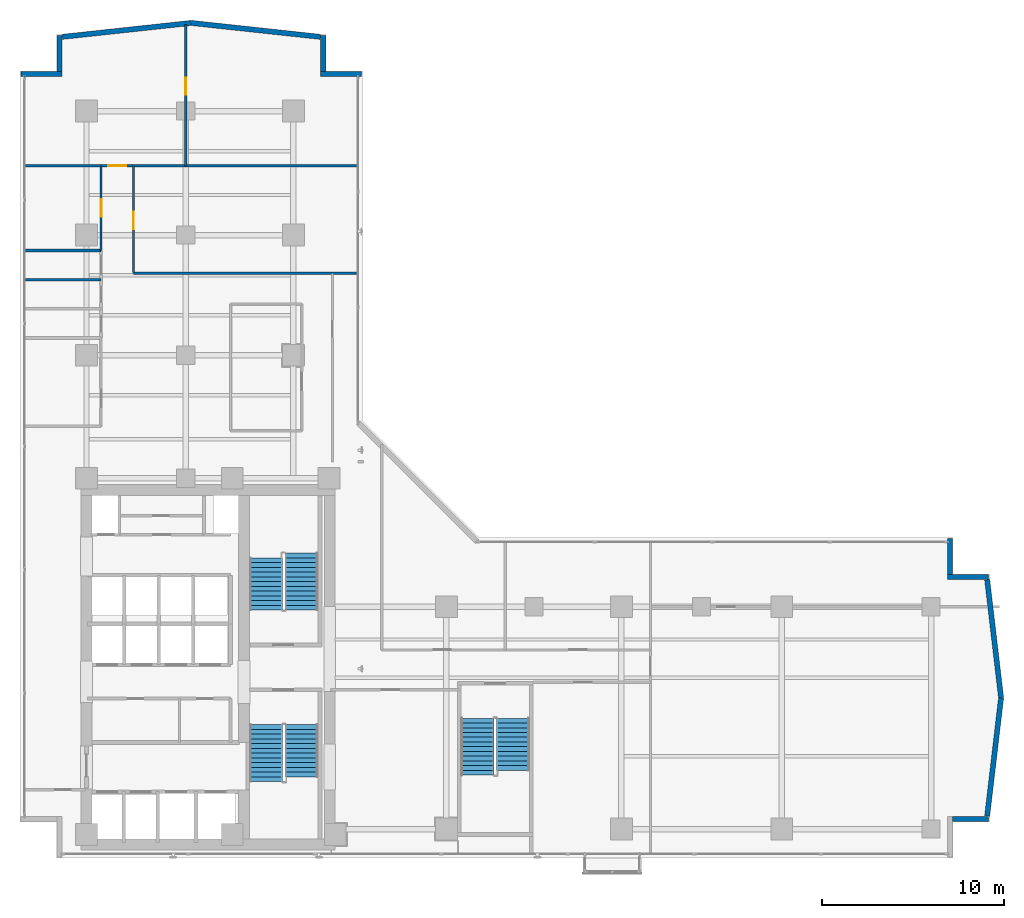
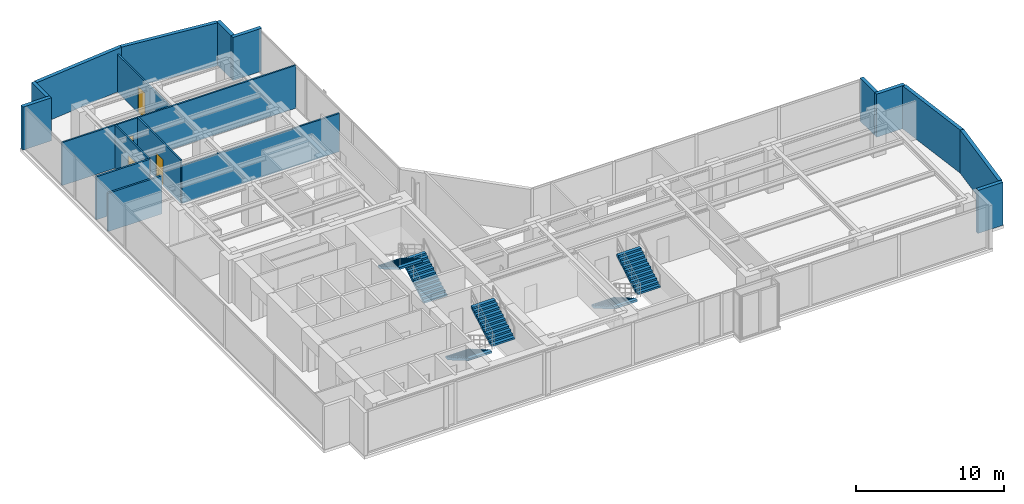
# One storey, part 22 of 27: 18 walls, 6 stair flights, 4 doors, 4 openings, 3 elements without a shape of their own.
"""IFC4 building model written with IfcOpenShell, lengths in metres."""

from ifc_helpers import new_model, si_unit, direction, frame, frame_2d, origin, place, context, subcontext, project, spatial, polyline, rectangle, outline, extrude, material, layer, layer_set, type_object, element, fill, aggregate, save


model = new_model("IFC4")

# Units and contexts
model_context = context("Model", 3, precision=1e-05, world=origin(), true_north=direction((0.0, 1.0)))
body_context = subcontext(model_context, "Body", "Model", "MODEL_VIEW")
ifc_project = project(units=[si_unit("LENGTHUNIT", "METRE"), si_unit("AREAUNIT", "SQUARE_METRE"), si_unit("VOLUMEUNIT", "CUBIC_METRE"), si_unit("PLANEANGLEUNIT", "RADIAN"), si_unit("MASSUNIT", "GRAM", prefix="KILO")], contexts=[model_context])

# Site, building, storey
site_placement = place(None, origin())
site = spatial("IfcSite", under=ifc_project, at=site_placement, CompositionType="ELEMENT")
building_placement = place(site_placement, origin())
building = spatial("IfcBuilding", under=site, at=building_placement, Name="Kolvaren Waterfront Exchange", CompositionType="ELEMENT")
storey_placement = place(building_placement, frame((0.0, 0.0, 176.60009765625)))
storey = spatial("IfcBuildingStorey", under=building, at=storey_placement, Name="L45", CompositionType="ELEMENT", Elevation=176.60009765625)

# Walls
ifc_material_1 = material(Name="Precast concrete C40/50", Category="concrete")
ifc_layer_1 = layer(ifc_material_1, 0.280029296875, Name="Precast concrete C40/50")
ifc_layer_set_1 = layer_set([ifc_layer_1], Name="Precast concrete C40/50")
wall_type_1 = type_object("IfcWallType", Name="ARC-EXT-TERR-280", PredefinedType="SOLIDWALL", material=ifc_layer_set_1)
wall_1_placement = place(storey_placement, frame((54.97998046875, 5.760009765625, 0.0), z_axis=(0.0, 0.0, 1.0), x_axis=(1.0, 0.0, 0.0)))
element("IfcWall", 1, at=wall_1_placement, inside=storey, type_object=wall_type_1, Name="L45 notched corner spandrel pier SE-B", PredefinedType="SOLIDWALL", context=body_context, shape_type="SweptSolid", body=[
    extrude(rectangle(XDim=1.9599609375, YDim=0.280029296875, at=frame_2d((0.97998046875, 0.0))), origin(), (0.0, 0.0, 1.0), 3.559814453125),
])
wall_2_placement = place(storey_placement, frame((54.840087890625, 19.1650390625, 0.0), z_axis=(0.0, 0.0, 1.0), x_axis=(0.0, 1.0, 0.0)))
element("IfcWall", 2, at=wall_2_placement, inside=storey, type_object=wall_type_1, Name="L45 notched corner spandrel pier ENE-A", PredefinedType="SOLIDWALL", context=body_context, shape_type="SweptSolid", body=[
    extrude(rectangle(XDim=1.974853515625, YDim=0.280029296875, at=frame_2d((0.9873046875, 0.0))), origin(), (0.0, 0.0, 1.0), 3.559814453125),
])
for number, where, z_axis, x_axis, name in (
    (3, (54.699951171875, 19.0400390625, 0.0), (0.0, 0.0, 1.0), (1.0, 0.0, 0.0), "L45 notched corner spandrel pier ENE-B"),
    (4, (20.300048828125, 46.639892578125, 0.0), (0.0, 0.0, 1.0), (1.0, 0.0, 0.0), "L45 notched corner spandrel pier NNE-A"),
):
    element("IfcWall", number, at=place(storey_placement, frame(where, z_axis=z_axis, x_axis=x_axis)), inside=storey, type_object=wall_type_1, Name=name, PredefinedType="SOLIDWALL", context=body_context, shape_type="SweptSolid", body=[
        extrude(rectangle(XDim=2.239990234375, YDim=0.280029296875, at=frame_2d((1.1201171875, 0.0))), origin(), (0.0, 0.0, 1.0), 3.559814453125),
    ])
wall_3_placement = place(storey_placement, frame((20.43994140625, 46.780029296875, 0.0), z_axis=(0.0, 0.0, 1.0), x_axis=(0.0, 1.0, 0.0)))
element("IfcWall", 5, at=wall_3_placement, inside=storey, type_object=wall_type_1, Name="L45 notched corner spandrel pier NNE-B", PredefinedType="SOLIDWALL", context=body_context, shape_type="SweptSolid", body=[
    extrude(rectangle(XDim=1.9599609375, YDim=0.280029296875, at=frame_2d((0.97998046875, 0.0))), origin(), (0.0, 0.0, 1.0), 3.559814453125),
])
wall_4_placement = place(storey_placement, frame((3.860107421875, 46.639892578125, 0.0), z_axis=(0.0, 0.0, 1.0), x_axis=(1.0, 0.0, 0.0)))
element("IfcWall", 6, at=wall_4_placement, inside=storey, type_object=wall_type_1, Name="L45 notched corner spandrel pier NW-A", PredefinedType="SOLIDWALL", context=body_context, shape_type="SweptSolid", body=[
    extrude(rectangle(XDim=2.239990234375, YDim=0.280029296875, at=frame_2d((1.1201171875, 0.0))), origin(), (0.0, 0.0, 1.0), 3.559814453125),
])
wall_5_placement = place(storey_placement, frame((5.9599609375, 46.780029296875, 0.0), z_axis=(0.0, 0.0, 1.0), x_axis=(0.0, 1.0, 0.0)))
element("IfcWall", 7, at=wall_5_placement, inside=storey, type_object=wall_type_1, Name="L45 notched corner spandrel pier NW-B", PredefinedType="SOLIDWALL", context=body_context, shape_type="SweptSolid", body=[
    extrude(rectangle(XDim=1.9599609375, YDim=0.280029296875, at=frame_2d((0.97998046875, 0.0))), origin(), (0.0, 0.0, 1.0), 3.559814453125),
])
for number, where, z_axis, x_axis, name in (
    (8, (56.876220703125, 5.91650390625, 0.0), (0.0, 0.0, 1.0), (0.11685426921, 0.993149072278, 0.0), "L45 east prow faceted facade wall 1"),
    (9, (57.638916015625, 12.401123046875, 0.0), (0.0, 0.0, 1.0), (-0.11685426921, 0.993149072278, 0.0), "L45 east prow faceted facade wall 2"),
):
    element("IfcWall", number, at=place(storey_placement, frame(where, z_axis=z_axis, x_axis=x_axis)), inside=storey, type_object=wall_type_1, Name=name, PredefinedType="SOLIDWALL", context=body_context, shape_type="SweptSolid", body=[
        extrude(rectangle(XDim=6.52685546875, YDim=0.280029296875, at=frame_2d((3.263427734375, 0.0))), origin(), (0.0, 0.0, 1.0), 3.559814453125),
    ])
for number, where, z_axis, x_axis, name in (
    (10, (20.284423828125, 48.673095703125, 0.0), (0.0, 0.0, 1.0), (-0.994206651606, 0.107485505548, 0.0), "L45 north prow faceted facade wall 1"),
    (11, (13.197265625, 49.438720703125, 0.0), (0.0, 0.0, 1.0), (-0.994206651606, -0.107485505548, 0.0), "L45 north prow faceted facade wall 2"),
):
    element("IfcWall", number, at=place(storey_placement, frame(where, z_axis=z_axis, x_axis=x_axis)), inside=storey, type_object=wall_type_1, Name=name, PredefinedType="SOLIDWALL", context=body_context, shape_type="SweptSolid", body=[
        extrude(rectangle(XDim=7.123046875, YDim=0.280029296875, at=frame_2d((3.5615234375, 0.0))), origin(), (0.0, 0.0, 1.0), 3.559814453125),
    ])
ifc_material_2 = material(Name="Acoustic gypsum steel stud", Category="steel")
ifc_layer_2 = layer(ifc_material_2, 0.125, Name="Acoustic gypsum steel stud")
ifc_layer_set_2 = layer_set([ifc_layer_2], Name="Acoustic gypsum steel stud")
wall_type_2 = type_object("IfcWallType", Name="ARC-PART-125", PredefinedType="PARTITIONING", material=ifc_layer_set_2)
wall_6_placement = place(storey_placement, frame((10.030029296875, 35.699951171875, 0.0), z_axis=(0.0, 0.0, 1.0), x_axis=(1.0, 0.0, 0.0)))
element("IfcWall", 12, at=wall_6_placement, inside=storey, type_object=wall_type_2, Name="L45 interior wall PW-L45-RFLANK-N", PredefinedType="PARTITIONING", context=body_context, shape_type="SweptSolid", body=[
    extrude(rectangle(XDim=12.330078125, YDim=0.125, at=frame_2d((6.1650390625, 0.0))), origin(), (0.0, 0.0, 1.0), 3.159912109375),
])

# Wall, opening, door
wall_7_placement = place(storey_placement, frame((8.25, 36.949951171875, 0.0), z_axis=(0.0, 0.0, 1.0), x_axis=(0.0, 1.0, 0.0)))
wall_7 = element("IfcWall", 13, at=wall_7_placement, inside=storey, type_object=wall_type_2, Name="L45 interior wall PW-L45-NW-CORR", PredefinedType="PARTITIONING", context=body_context, shape_type="SweptSolid", body=[
    extrude(rectangle(XDim=4.650146484375, YDim=0.125, at=frame_2d((2.3251953125, 0.0))), origin(), (0.0, 0.0, 1.0), 3.559814453125),
])
opening_1_placement = place(wall_7_placement, frame((1.85009765625, 0.0, 0.0)))
opening_1 = element("IfcOpeningElement", 14, at=opening_1_placement, cuts=wall_7, Name="Opening D02", PredefinedType="OPENING", context=body_context, shape_type="SweptSolid", body=[
    extrude(rectangle(XDim=0.949951171875, YDim=2.14990234375, at=frame_2d((0.47509765625, 1.074951171875))), frame((0.0, 0.072509765625, 0.0), z_axis=(0.0, -1.0, 0.0), x_axis=(1.0, 0.0, 0.0)), (0.0, 0.0, 1.0), 0.14501953125),
])
ifc_material_3 = material(Name="Oak veneer acoustic timber", Category="wood")
door_type_1 = type_object("IfcDoorType", Name="ARC-DR-950", OperationType="NOTDEFINED", PredefinedType="DOOR", material=ifc_material_3)
door_1_placement = place(opening_1_placement, origin())
door_1 = element("IfcDoor", 15, at=door_1_placement, inside=storey, type_object=door_type_1, Name="L45 door DR-L45-NW-D-1 (D02)", OperationType="SINGLE_SWING_RIGHT", OverallHeight=2.14990234375, OverallWidth=0.949951171875, PredefinedType="DOOR", context=body_context, shape_type="SweptSolid", body=[
    extrude(rectangle(XDim=0.949951171875, YDim=2.14990234375, at=frame_2d((0.47509765625, 1.074951171875))), frame((0.0, 0.02490234375, 0.0), z_axis=(0.0, -1.0, 0.0), x_axis=(1.0, 0.0, 0.0)), (0.0, 0.0, 1.0), 0.050048828125),
])
fill(opening_1, door_1)

wall_8_placement = place(storey_placement, frame((4.0400390625, 41.60009765625, 0.0), z_axis=(0.0, 0.0, 1.0), x_axis=(1.0, 0.0, 0.0)))
wall_8 = element("IfcWall", 16, at=wall_8_placement, inside=storey, type_object=wall_type_2, Name="L45 interior wall PW-L45-NTIP-S", PredefinedType="PARTITIONING", context=body_context, shape_type="SweptSolid", body=[
    extrude(rectangle(XDim=18.320068359375, YDim=0.125, at=frame_2d((9.16015625, 0.0))), origin(), (0.0, 0.0, 1.0), 3.559814453125),
])
opening_2_placement = place(wall_8_placement, frame((4.60009765625, 0.0, 0.0)))
opening_2 = element("IfcOpeningElement", 17, at=opening_2_placement, cuts=wall_8, Name="Opening D03", PredefinedType="OPENING", context=body_context, shape_type="SweptSolid", body=[
    extrude(rectangle(XDim=1.0, YDim=2.199951171875, at=frame_2d((0.5, 1.10009765625))), frame((0.0, 0.072509765625, 0.0), z_axis=(0.0, -1.0, 0.0), x_axis=(1.0, 0.0, 0.0)), (0.0, 0.0, 1.0), 0.14501953125),
])
ifc_material_4 = material(Name="Oak veneer accessible timber", Category="wood")
door_type_2 = type_object("IfcDoorType", Name="ARC-DR-1000", OperationType="NOTDEFINED", PredefinedType="DOOR", material=ifc_material_4)
door_2_placement = place(opening_2_placement, origin())
door_2 = element("IfcDoor", 18, at=door_2_placement, inside=storey, type_object=door_type_2, Name="L45 door DR-L45-NTIPW-D (D03)", OperationType="SINGLE_SWING_LEFT", OverallHeight=2.199951171875, OverallWidth=1.0, PredefinedType="DOOR", context=body_context, shape_type="SweptSolid", body=[
    extrude(rectangle(XDim=1.0, YDim=2.199951171875, at=frame_2d((0.5, 1.10009765625))), frame((0.0, 0.02490234375, 0.0), z_axis=(0.0, -1.0, 0.0), x_axis=(1.0, 0.0, 0.0)), (0.0, 0.0, 1.0), 0.050048828125),
])
fill(opening_2, door_2)

wall_9_placement = place(storey_placement, frame((12.89990234375, 41.60009765625, 0.0), z_axis=(0.0, 0.0, 1.0), x_axis=(0.0, 1.0, 0.0)))
wall_9 = element("IfcWall", 19, at=wall_9_placement, inside=storey, type_object=wall_type_2, Name="L45 interior wall PW-L45-NTIP-DIV", PredefinedType="PARTITIONING", context=body_context, shape_type="SweptSolid", body=[
    extrude(rectangle(XDim=7.760009765625, YDim=0.125, at=frame_2d((3.8798828125, 0.0))), origin(), (0.0, 0.0, 1.0), 3.10986328125),
])
opening_3_placement = place(wall_9_placement, frame((3.8935546875, 0.0, 0.0)))
opening_3 = element("IfcOpeningElement", 20, at=opening_3_placement, cuts=wall_9, Name="Opening D02", PredefinedType="OPENING", context=body_context, shape_type="SweptSolid", body=[
    extrude(rectangle(XDim=0.949951171875, YDim=2.14990234375, at=frame_2d((0.47509765625, 1.074951171875))), frame((0.0, 0.072509765625, 0.0), z_axis=(0.0, -1.0, 0.0), x_axis=(1.0, 0.0, 0.0)), (0.0, 0.0, 1.0), 0.14501953125),
])
door_3_placement = place(opening_3_placement, origin())
door_3 = element("IfcDoor", 21, at=door_3_placement, inside=storey, type_object=door_type_1, Name="L45 door DR-L45-NTIPE-D (D02)", OperationType="SINGLE_SWING_RIGHT", OverallHeight=2.14990234375, OverallWidth=0.949951171875, PredefinedType="DOOR", context=body_context, shape_type="SweptSolid", body=[
    extrude(rectangle(XDim=0.949951171875, YDim=2.14990234375, at=frame_2d((0.47509765625, 1.074951171875))), frame((0.0, 0.02490234375, 0.0), z_axis=(0.0, -1.0, 0.0), x_axis=(1.0, 0.0, 0.0)), (0.0, 0.0, 1.0), 0.050048828125),
])
fill(opening_3, door_3)

wall_10_placement = place(storey_placement, frame((10.030029296875, 35.75, 0.0), z_axis=(0.0, 0.0, 1.0), x_axis=(0.0, 1.0, 0.0)))
wall_10 = element("IfcWall", 22, at=wall_10_placement, inside=storey, type_object=wall_type_2, Name="L45 interior wall PW-L45-NE-CORR", PredefinedType="PARTITIONING", context=body_context, shape_type="SweptSolid", body=[
    extrude(rectangle(XDim=5.85009765625, YDim=0.125, at=frame_2d((2.925048828125, 0.0))), origin(), (0.0, 0.0, 1.0), 3.559814453125),
])
opening_4_placement = place(wall_10_placement, frame((2.37939453125, 0.0, 0.0)))
opening_4 = element("IfcOpeningElement", 23, at=opening_4_placement, cuts=wall_10, Name="Opening D02", PredefinedType="OPENING", context=body_context, shape_type="SweptSolid", body=[
    extrude(rectangle(XDim=0.949951171875, YDim=2.14990234375, at=frame_2d((0.47509765625, 1.074951171875))), frame((0.0, 0.072509765625, 0.0), z_axis=(0.0, -1.0, 0.0), x_axis=(1.0, 0.0, 0.0)), (0.0, 0.0, 1.0), 0.14501953125),
])
door_4_placement = place(opening_4_placement, origin())
door_4 = element("IfcDoor", 24, at=door_4_placement, inside=storey, type_object=door_type_1, Name="L45 door DR-L45-NE-D-1 (D02)", OperationType="SINGLE_SWING_LEFT", OverallHeight=2.14990234375, OverallWidth=0.949951171875, PredefinedType="DOOR", context=body_context, shape_type="SweptSolid", body=[
    extrude(rectangle(XDim=0.949951171875, YDim=2.14990234375, at=frame_2d((0.47509765625, 1.074951171875))), frame((0.0, 0.02490234375, 0.0), z_axis=(0.0, -1.0, 0.0), x_axis=(1.0, 0.0, 0.0)), (0.0, 0.0, 1.0), 0.050048828125),
])
fill(opening_4, door_4)

# Walls
ifc_material_5 = material(Name="Moisture-resistant gypsum stud")
ifc_layer_3 = layer(ifc_material_5, 0.14990234375, Name="Moisture-resistant gypsum stud")
ifc_layer_set_3 = layer_set([ifc_layer_3], Name="Moisture-resistant gypsum stud")
wall_type_3 = type_object("IfcWallType", Name="ARC-PLUMB-150", PredefinedType="PLUMBINGWALL", material=ifc_layer_set_3)
wall_11_placement = place(storey_placement, frame((4.0400390625, 35.35009765625, 0.0), z_axis=(0.0, 0.0, 1.0), x_axis=(1.0, 0.0, 0.0)))
element("IfcWall", 25, at=wall_11_placement, inside=storey, type_object=wall_type_3, Name="L45 interior wall PW-L45-WC-2", PredefinedType="PLUMBINGWALL", context=body_context, shape_type="SweptSolid", body=[
    extrude(rectangle(XDim=4.2099609375, YDim=0.14990234375, at=frame_2d((2.10498046875, 0.0))), origin(), (0.0, 0.0, 1.0), 3.159912109375),
])
wall_12_placement = place(storey_placement, frame((4.0400390625, 36.949951171875, 0.0), z_axis=(0.0, 0.0, 1.0), x_axis=(1.0, 0.0, 0.0)))
element("IfcWall", 26, at=wall_12_placement, inside=storey, type_object=wall_type_3, Name="L45 interior wall PW-L45-WC-3", PredefinedType="PLUMBINGWALL", context=body_context, shape_type="SweptSolid", body=[
    extrude(rectangle(XDim=4.2099609375, YDim=0.14990234375, at=frame_2d((2.10498046875, 0.0))), origin(), (0.0, 0.0, 1.0), 3.559814453125),
])

# Stair, stair flights
ifc_material_6 = material(Name="Concrete C40/50", Category="concrete")
stair_type = type_object("IfcStairType", Name="ARC-STAIR-3800", PredefinedType="HALF_TURN_STAIR", material=ifc_material_6)
stair_1_placement = place(storey_placement, origin())
stair_1 = element("IfcStair", 27, at=stair_1_placement, inside=storey, type_object=stair_type, Name="L45 Smoke-proof exit stair ST1", PredefinedType="HALF_TURN_STAIR")
stair_flight_type = type_object("IfcStairFlightType", Name="ARC-FLIGHT-3800", PredefinedType="STRAIGHT", material=ifc_material_6)
stair_flight_1_placement = place(storey_placement, frame((17.300048828125, 10.929931640625, 0.0), z_axis=(0.0, 0.0, 1.0), x_axis=(0.0, -1.0, 0.0)))
stair_flight_1 = element("IfcStairFlight", 28, at=stair_flight_1_placement, type_object=stair_flight_type, Name="ST1 flight 1", NumberOfRisers=13, NumberOfTreads=12, PredefinedType="STRAIGHT", RiserHeight=0.152, TreadLength=0.26, context=body_context, shape_type="SweptSolid", body=[
    extrude(outline(polyline([(0.0, 0.0), (0.0, 0.152099609375), (0.260009765625, 0.152099609375), (0.260009765625, 0.303955078125), (0.52001953125, 0.303955078125), (0.52001953125, 0.4560546875), (0.780029296875, 0.4560546875), (0.780029296875, 0.60791015625), (1.0400390625, 0.60791015625), (1.0400390625, 0.760009765625), (1.300048828125, 0.760009765625), (1.300048828125, 0.912109375), (1.56005859375, 0.912109375), (1.56005859375, 1.06396484375), (1.820068359375, 1.06396484375), (1.820068359375, 1.216064453125), (2.080078125, 1.216064453125), (2.080078125, 1.367919921875), (2.340087890625, 1.367919921875), (2.340087890625, 1.52001953125), (2.60009765625, 1.52001953125), (2.60009765625, 1.672119140625), (2.860107421875, 1.672119140625), (2.860107421875, 1.823974609375), (3.1201171875, 1.823974609375), (3.1201171875, 1.97607421875), (3.1201171875, 1.650390625), (0.297119140625, 0.0), (0.0, 0.0)])), frame((0.0, 0.89990234375, 0.0), z_axis=(0.0, -1.0, 0.0), x_axis=(1.0, 0.0, 0.0)), (0.0, 0.0, 1.0), 1.800048828125),
])
stair_flight_2_placement = place(storey_placement, frame((19.260009765625, 8.070068359375, 1.975830078125), z_axis=(0.0, 0.0, 1.0), x_axis=(0.0, 1.0, 0.0)))
stair_flight_2 = element("IfcStairFlight", 29, at=stair_flight_2_placement, type_object=stair_flight_type, Name="ST1 flight 2", NumberOfRisers=12, NumberOfTreads=11, PredefinedType="STRAIGHT", RiserHeight=0.152, TreadLength=0.26, context=body_context, shape_type="SweptSolid", body=[
    extrude(outline(polyline([(0.0, 0.0), (0.0, 0.152099609375), (0.260009765625, 0.152099609375), (0.260009765625, 0.303955078125), (0.52001953125, 0.303955078125), (0.52001953125, 0.4560546875), (0.780029296875, 0.4560546875), (0.780029296875, 0.60791015625), (1.0400390625, 0.60791015625), (1.0400390625, 0.760009765625), (1.300048828125, 0.760009765625), (1.300048828125, 0.912109375), (1.56005859375, 0.912109375), (1.56005859375, 1.06396484375), (1.820068359375, 1.06396484375), (1.820068359375, 1.216064453125), (2.080078125, 1.216064453125), (2.080078125, 1.367919921875), (2.340087890625, 1.367919921875), (2.340087890625, 1.52001953125), (2.60009765625, 1.52001953125), (2.60009765625, 1.672119140625), (2.860107421875, 1.672119140625), (2.860107421875, 1.823974609375), (2.860107421875, 1.498291015625), (0.297119140625, 0.0), (0.0, 0.0)])), frame((0.0, 0.89990234375, 0.0), z_axis=(0.0, -1.0, 0.0), x_axis=(1.0, 0.0, 0.0)), (0.0, 0.0, 1.0), 1.800048828125),
])
aggregate(stair_1, [stair_flight_1, stair_flight_2])

stair_2_placement = place(storey_placement, origin())
stair_2 = element("IfcStair", 30, at=stair_2_placement, inside=storey, type_object=stair_type, Name="L45 Smoke-proof exit stair ST2", PredefinedType="HALF_TURN_STAIR")
stair_flight_3_placement = place(storey_placement, frame((19.260009765625, 17.219970703125, 0.0), z_axis=(0.0, 0.0, 1.0), x_axis=(0.0, 1.0, 0.0)))
stair_flight_3 = element("IfcStairFlight", 31, at=stair_flight_3_placement, type_object=stair_flight_type, Name="ST2 flight 1", NumberOfRisers=13, NumberOfTreads=12, PredefinedType="STRAIGHT", RiserHeight=0.152, TreadLength=0.26, context=body_context, shape_type="SweptSolid", body=[
    extrude(outline(polyline([(0.0, 0.0), (0.0, 0.152099609375), (0.260009765625, 0.152099609375), (0.260009765625, 0.303955078125), (0.52001953125, 0.303955078125), (0.52001953125, 0.4560546875), (0.780029296875, 0.4560546875), (0.780029296875, 0.60791015625), (1.0400390625, 0.60791015625), (1.0400390625, 0.760009765625), (1.300048828125, 0.760009765625), (1.300048828125, 0.912109375), (1.56005859375, 0.912109375), (1.56005859375, 1.06396484375), (1.820068359375, 1.06396484375), (1.820068359375, 1.216064453125), (2.080078125, 1.216064453125), (2.080078125, 1.367919921875), (2.340087890625, 1.367919921875), (2.340087890625, 1.52001953125), (2.60009765625, 1.52001953125), (2.60009765625, 1.672119140625), (2.860107421875, 1.672119140625), (2.860107421875, 1.823974609375), (3.1201171875, 1.823974609375), (3.1201171875, 1.97607421875), (3.1201171875, 1.650390625), (0.297119140625, 0.0), (0.0, 0.0)])), frame((0.0, 0.89990234375, 0.0), z_axis=(0.0, -1.0, 0.0), x_axis=(1.0, 0.0, 0.0)), (0.0, 0.0, 1.0), 1.800048828125),
])
stair_flight_4_placement = place(storey_placement, frame((17.300048828125, 20.080078125, 1.975830078125), z_axis=(0.0, 0.0, 1.0), x_axis=(0.0, -1.0, 0.0)))
stair_flight_4 = element("IfcStairFlight", 32, at=stair_flight_4_placement, type_object=stair_flight_type, Name="ST2 flight 2", NumberOfRisers=12, NumberOfTreads=11, PredefinedType="STRAIGHT", RiserHeight=0.152, TreadLength=0.26, context=body_context, shape_type="SweptSolid", body=[
    extrude(outline(polyline([(0.0, 0.0), (0.0, 0.152099609375), (0.260009765625, 0.152099609375), (0.260009765625, 0.303955078125), (0.52001953125, 0.303955078125), (0.52001953125, 0.4560546875), (0.780029296875, 0.4560546875), (0.780029296875, 0.60791015625), (1.0400390625, 0.60791015625), (1.0400390625, 0.760009765625), (1.300048828125, 0.760009765625), (1.300048828125, 0.912109375), (1.56005859375, 0.912109375), (1.56005859375, 1.06396484375), (1.820068359375, 1.06396484375), (1.820068359375, 1.216064453125), (2.080078125, 1.216064453125), (2.080078125, 1.367919921875), (2.340087890625, 1.367919921875), (2.340087890625, 1.52001953125), (2.60009765625, 1.52001953125), (2.60009765625, 1.672119140625), (2.860107421875, 1.672119140625), (2.860107421875, 1.823974609375), (2.860107421875, 1.498291015625), (0.297119140625, 0.0), (0.0, 0.0)])), frame((0.0, 0.89990234375, 0.0), z_axis=(0.0, -1.0, 0.0), x_axis=(1.0, 0.0, 0.0)), (0.0, 0.0, 1.0), 1.800048828125),
])
aggregate(stair_2, [stair_flight_3, stair_flight_4])

stair_3_placement = place(storey_placement, origin())
stair_3 = element("IfcStair", 33, at=stair_3_placement, inside=storey, type_object=stair_type, Name="L45 Exit stair ST3", PredefinedType="HALF_TURN_STAIR")
stair_flight_5_placement = place(storey_placement, frame((28.89990234375, 11.280029296875, 0.0), z_axis=(0.0, 0.0, 1.0), x_axis=(0.0, -1.0, 0.0)))
stair_flight_5 = element("IfcStairFlight", 34, at=stair_flight_5_placement, type_object=stair_flight_type, Name="ST3 flight 1", NumberOfRisers=13, NumberOfTreads=12, PredefinedType="STRAIGHT", RiserHeight=0.152, TreadLength=0.26, context=body_context, shape_type="SweptSolid", body=[
    extrude(outline(polyline([(0.0, 0.0), (0.0, 0.152099609375), (0.260009765625, 0.152099609375), (0.260009765625, 0.303955078125), (0.52001953125, 0.303955078125), (0.52001953125, 0.4560546875), (0.780029296875, 0.4560546875), (0.780029296875, 0.60791015625), (1.0400390625, 0.60791015625), (1.0400390625, 0.760009765625), (1.300048828125, 0.760009765625), (1.300048828125, 0.912109375), (1.56005859375, 0.912109375), (1.56005859375, 1.06396484375), (1.820068359375, 1.06396484375), (1.820068359375, 1.216064453125), (2.080078125, 1.216064453125), (2.080078125, 1.367919921875), (2.340087890625, 1.367919921875), (2.340087890625, 1.52001953125), (2.60009765625, 1.52001953125), (2.60009765625, 1.672119140625), (2.860107421875, 1.672119140625), (2.860107421875, 1.823974609375), (3.1201171875, 1.823974609375), (3.1201171875, 1.97607421875), (3.1201171875, 1.650390625), (0.297119140625, 0.0), (0.0, 0.0)])), frame((0.0, 0.89990234375, 0.0), z_axis=(0.0, -1.0, 0.0), x_axis=(1.0, 0.0, 0.0)), (0.0, 0.0, 1.0), 1.800048828125),
])
stair_flight_6_placement = place(storey_placement, frame((30.860107421875, 8.419921875, 1.975830078125), z_axis=(0.0, 0.0, 1.0), x_axis=(0.0, 1.0, 0.0)))
stair_flight_6 = element("IfcStairFlight", 35, at=stair_flight_6_placement, type_object=stair_flight_type, Name="ST3 flight 2", NumberOfRisers=12, NumberOfTreads=11, PredefinedType="STRAIGHT", RiserHeight=0.152, TreadLength=0.26, context=body_context, shape_type="SweptSolid", body=[
    extrude(outline(polyline([(0.0, 0.0), (0.0, 0.152099609375), (0.260009765625, 0.152099609375), (0.260009765625, 0.303955078125), (0.52001953125, 0.303955078125), (0.52001953125, 0.4560546875), (0.780029296875, 0.4560546875), (0.780029296875, 0.60791015625), (1.0400390625, 0.60791015625), (1.0400390625, 0.760009765625), (1.300048828125, 0.760009765625), (1.300048828125, 0.912109375), (1.56005859375, 0.912109375), (1.56005859375, 1.06396484375), (1.820068359375, 1.06396484375), (1.820068359375, 1.216064453125), (2.080078125, 1.216064453125), (2.080078125, 1.367919921875), (2.340087890625, 1.367919921875), (2.340087890625, 1.52001953125), (2.60009765625, 1.52001953125), (2.60009765625, 1.672119140625), (2.860107421875, 1.672119140625), (2.860107421875, 1.823974609375), (2.860107421875, 1.498291015625), (0.297119140625, 0.0), (0.0, 0.0)])), frame((0.0, 0.89990234375, 0.0), z_axis=(0.0, -1.0, 0.0), x_axis=(1.0, 0.0, 0.0)), (0.0, 0.0, 1.0), 1.800048828125),
])
aggregate(stair_3, [stair_flight_5, stair_flight_6])

save(model, "model.ifc")
